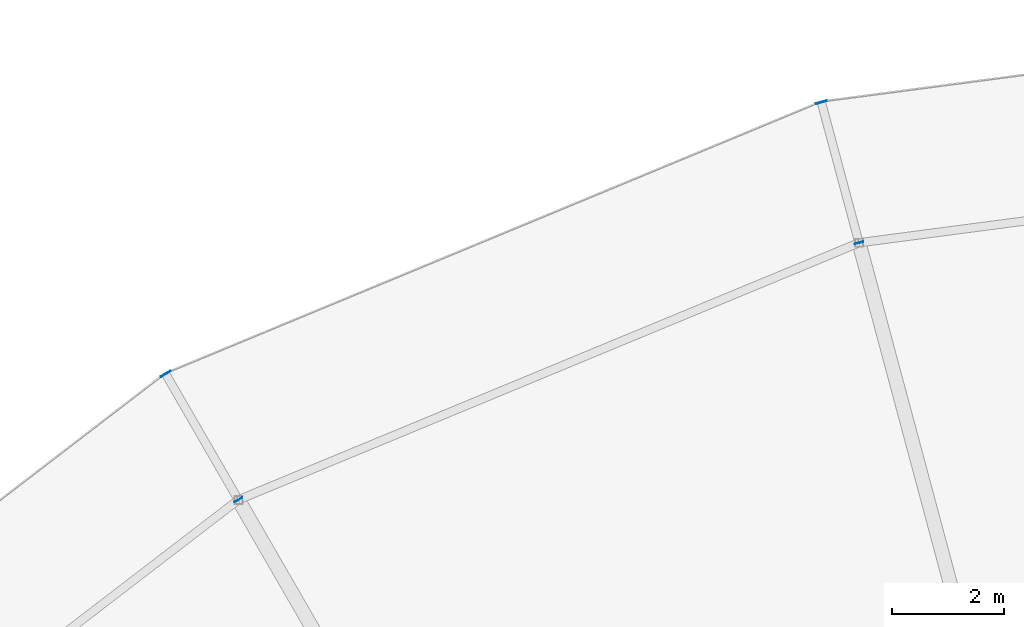
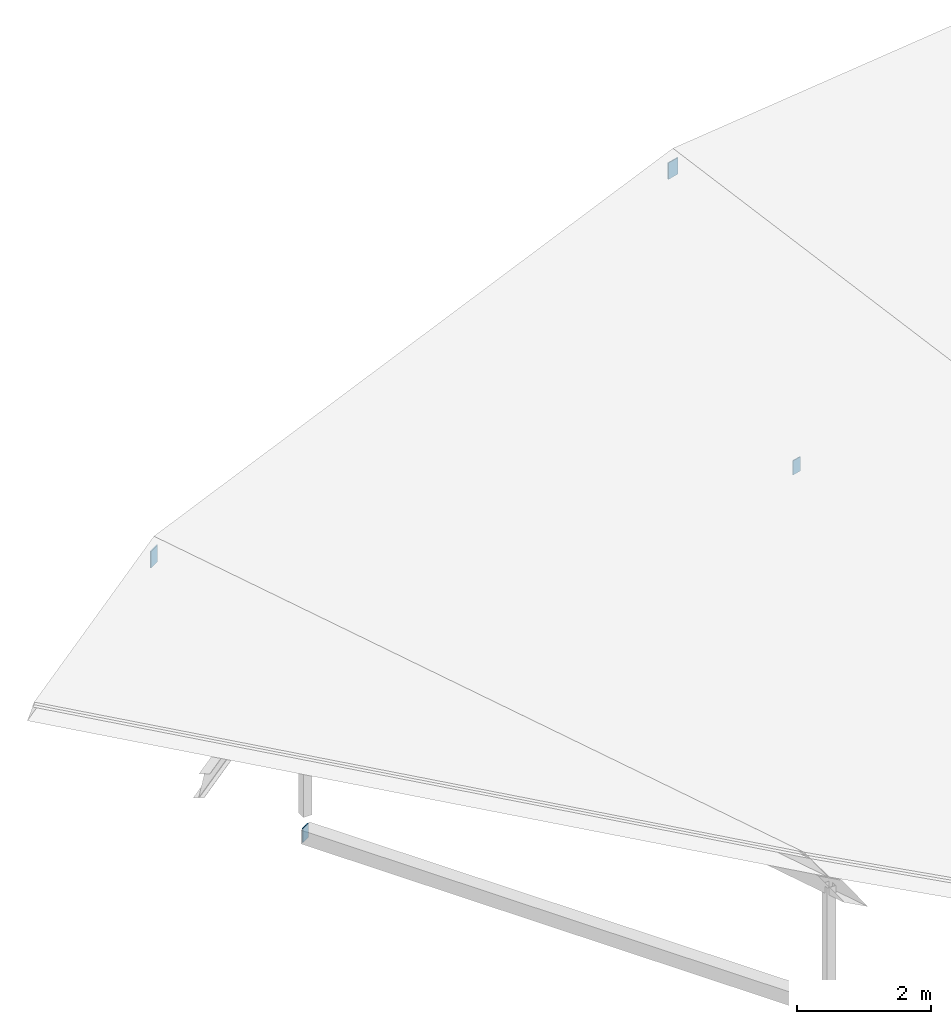
# One storey, part 48 of 70: 4 plates.
"""IFC4 building model written with IfcOpenShell, lengths in metres."""

from ifc_helpers import new_model, si_unit, direction, frame, origin, origin_2d, place, context, subcontext, project, spatial, rectangle, extrude, material, layer, layer_set, type_object, element, save


model = new_model("IFC4")

# Units and contexts
model_context = context("Model", 3, precision=1e-05, world=origin(), true_north=direction((0.0, 1.0)))
body_context = subcontext(model_context, "Body", "Model", "MODEL_VIEW")
ifc_project = project(units=[si_unit("LENGTHUNIT", "METRE"), si_unit("AREAUNIT", "SQUARE_METRE"), si_unit("VOLUMEUNIT", "CUBIC_METRE"), si_unit("PLANEANGLEUNIT", "RADIAN"), si_unit("MASSUNIT", "GRAM", prefix="KILO")], contexts=[model_context])

# Site, building, storey
site_placement = place(None, origin())
site = spatial("IfcSite", under=ifc_project, at=site_placement, CompositionType="ELEMENT")
building_placement = place(site_placement, origin())
building = spatial("IfcBuilding", under=site, at=building_placement, Name="Vondelvale Polytechnic", CompositionType="ELEMENT")
storey_placement = place(building_placement, frame((0.0, 0.0, 22.199951171875)))
storey = spatial("IfcBuildingStorey", under=building, at=storey_placement, Name="L05", CompositionType="ELEMENT", Elevation=22.199951171875)

# Plates
ifc_material = material(Name="Steel Grade 350 (fy = 340 MPa)", Category="steel")
ifc_layer_1 = layer(ifc_material, 0.01611328125)
ifc_layer_set_1 = layer_set([ifc_layer_1], Name="PLATE-CAP-300x200")
plate_type_1 = type_object("IfcPlateType", Name="PLATE-CAP-300x200", PredefinedType="USERDEFINED", material=ifc_layer_set_1)
for number, where, z_axis, x_axis, name in (
    (1, (89.42138671875, 118.944091796875, 3.61572265625), (0.0, 0.0, 1.0), (0.258819045103, -0.965925826289, 0.0), "Ring rafter hollow end cap plate 07O"),
    (2, (77.699951171875, 114.0888671875, 3.61572265625), (0.0, 0.0, 1.0), (0.5, -0.866025403784, 0.0), "Ring rafter hollow end cap plate 08O"),
):
    element("IfcPlate", number, at=place(storey_placement, frame(where, z_axis=z_axis, x_axis=x_axis)), inside=storey, type_object=plate_type_1, Name=name, ObjectType="CAP_PLATE", PredefinedType="USERDEFINED", context=body_context, shape_type="SweptSolid", body=[
        extrude(rectangle(XDim=0.01611328125, YDim=0.199951171875, at=origin_2d()), origin(), (0.0, 0.0, 1.0), 0.300048828125),
    ])
ifc_layer_2 = layer(ifc_material, 0.013916015625)
ifc_layer_set_2 = layer_set([ifc_layer_2], Name="PLATE-CAP-C03")
plate_type_2 = type_object("IfcPlateType", Name="PLATE-CAP-C03", PredefinedType="USERDEFINED", material=ifc_layer_set_2)
for number, where, z_axis, x_axis, name in (
    (3, (90.09423828125, 116.4326171875, -0.47998046875), (0.0, 0.0, 1.0), (0.258819045103, -0.965925826289, 0.0), "Ring workshop truss chord end cap 07O"),
    (4, (79.0, 111.837158203125, -0.47998046875), (0.0, 0.0, 1.0), (0.5, -0.866025403784, 0.0), "Ring workshop truss chord end cap 08O"),
):
    element("IfcPlate", number, at=place(storey_placement, frame(where, z_axis=z_axis, x_axis=x_axis)), inside=storey, type_object=plate_type_2, Name=name, ObjectType="CAP_PLATE", PredefinedType="USERDEFINED", context=body_context, shape_type="SweptSolid", body=[
        extrude(rectangle(XDim=0.013916015625, YDim=0.159912109375, at=origin_2d()), origin(), (0.0, 0.0, 1.0), 0.260009765625),
    ])

save(model, "model.ifc")
